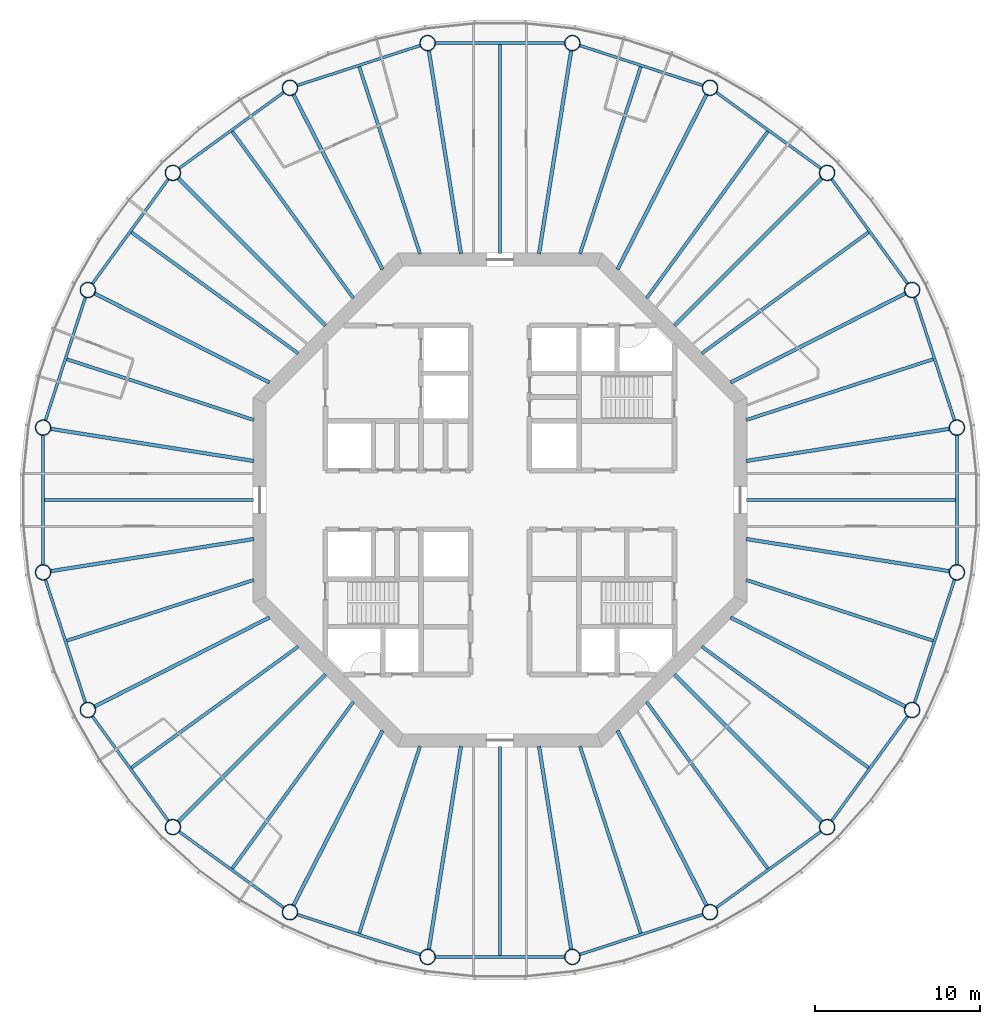
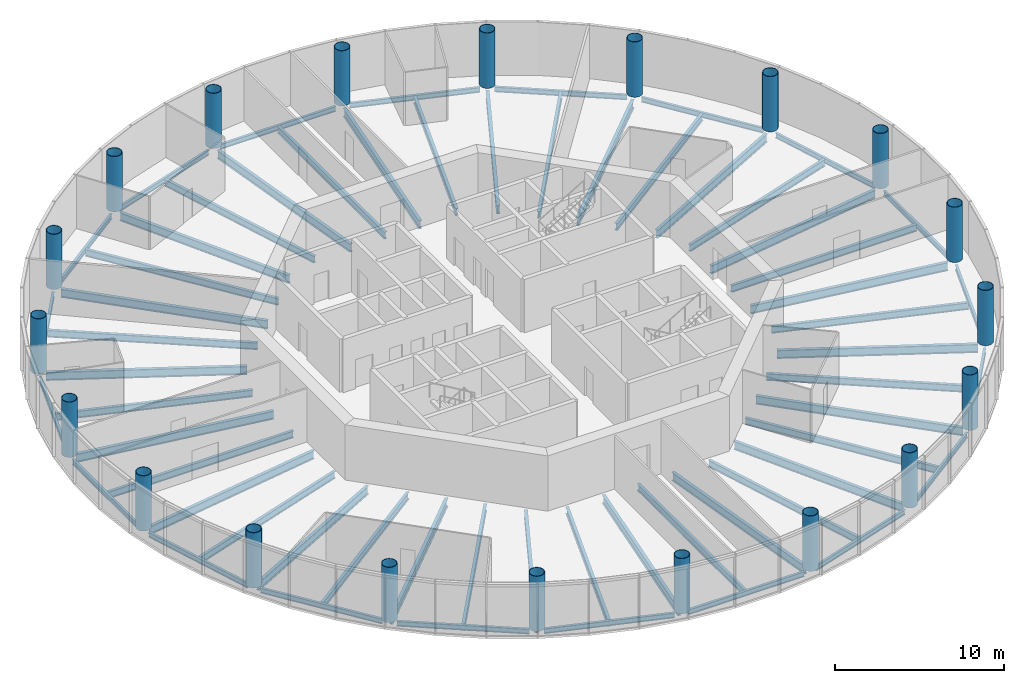
# One storey, part 1 of 13: 60 beams, 20 columns.
"""IFC4 building model written with IfcOpenShell, lengths in metres."""

from ifc_helpers import new_model, si_unit, direction, frame, origin, origin_2d, place, context, subcontext, project, spatial, circle, hollow_circle, i_section, extrude, material, material_profile, profile_set, type_object, element, save


model = new_model("IFC4")

# Units and contexts
model_context = context("Model", 3, precision=1e-05, world=origin(), true_north=direction((0.0, 1.0)))
body_context = subcontext(model_context, "Body", "Model", "MODEL_VIEW")
ifc_project = project(units=[si_unit("LENGTHUNIT", "METRE"), si_unit("AREAUNIT", "SQUARE_METRE"), si_unit("VOLUMEUNIT", "CUBIC_METRE"), si_unit("PLANEANGLEUNIT", "RADIAN"), si_unit("MASSUNIT", "GRAM", prefix="KILO")], contexts=[model_context])

# Site, building, storey
site_placement = place(None, origin())
site = spatial("IfcSite", under=ifc_project, at=site_placement, CompositionType="ELEMENT")
building_placement = place(site_placement, origin())
building = spatial("IfcBuilding", under=site, at=building_placement, Name="Entoto Ring Tower", CompositionType="ELEMENT")
storey_placement = place(building_placement, frame((0.0, 0.0, 282.0)))
storey = spatial("IfcBuildingStorey", under=building, at=storey_placement, Name="L64", CompositionType="ELEMENT", Elevation=282.0)

# Columns
ifc_material_1 = material(Name="Steel S355", Category="steel")
ifc_material_profile_1 = material_profile(ifc_material_1, hollow_circle(Radius=0.47509765625, WallThickness=0.034912109375, at=origin_2d()), Name="CHS 950 x 35")
ifc_material_2 = material(Name="Concrete C60/75", Category="concrete")
ifc_material_profile_2 = material_profile(ifc_material_2, circle(Radius=0.43994140625, at=origin_2d()), Name="Concrete C60/75 infill")
ifc_profile_set_1 = profile_set([ifc_material_profile_1, ifc_material_profile_2], Name="Steel S355")
column_type = type_object("IfcColumnType", Name="Ring column 950 x 35 concrete-filled tube", PredefinedType="COLUMN", material=ifc_profile_set_1)
for number, where, z_axis, x_axis, name in (
    (1, (117.754150390625, 84.395751953125, 0.0), (0.0, 0.0, 1.0), (1.0, 0.0, 0.0), "RC5 R01"),
    (2, (115.037353515625, 92.757080078125, 0.0), (0.0, 0.0, 1.0), (1.0, 0.0, 0.0), "RC5 R02"),
    (3, (109.86962890625, 99.86962890625, 0.0), (0.0, 0.0, 1.0), (1.0, 0.0, 0.0), "RC5 R03"),
    (4, (102.757080078125, 105.037353515625, 0.0), (0.0, 0.0, 1.0), (1.0, 0.0, 0.0), "RC5 R04"),
    (5, (94.395751953125, 107.754150390625, 0.0), (0.0, 0.0, 1.0), (1.0, 0.0, 0.0), "RC5 R05"),
    (6, (85.604248046875, 107.754150390625, 0.0), (0.0, 0.0, 1.0), (1.0, 0.0, 0.0), "RC5 R06"),
    (7, (77.242919921875, 105.037353515625, 0.0), (0.0, 0.0, 1.0), (1.0, 0.0, 0.0), "RC5 R07"),
    (8, (70.13037109375, 99.86962890625, 0.0), (0.0, 0.0, 1.0), (1.0, 0.0, 0.0), "RC5 R08"),
    (9, (64.962646484375, 92.757080078125, 0.0), (0.0, 0.0, 1.0), (1.0, 0.0, 0.0), "RC5 R09"),
    (10, (62.245849609375, 84.395751953125, 0.0), (0.0, 0.0, 1.0), (1.0, 0.0, 0.0), "RC5 R10"),
    (11, (62.245849609375, 75.604248046875, 0.0), (0.0, 0.0, 1.0), (1.0, 0.0, 0.0), "RC5 R11"),
    (12, (64.962646484375, 67.242919921875, 0.0), (0.0, 0.0, 1.0), (1.0, 0.0, 0.0), "RC5 R12"),
    (13, (70.13037109375, 60.13037109375, 0.0), (0.0, 0.0, 1.0), (1.0, 0.0, 0.0), "RC5 R13"),
    (14, (77.242919921875, 54.962646484375, 0.0), (0.0, 0.0, 1.0), (1.0, 0.0, 0.0), "RC5 R14"),
    (15, (85.604248046875, 52.245849609375, 0.0), (0.0, 0.0, 1.0), (1.0, 0.0, 0.0), "RC5 R15"),
    (16, (94.395751953125, 52.245849609375, 0.0), (0.0, 0.0, 1.0), (1.0, 0.0, 0.0), "RC5 R16"),
    (17, (102.757080078125, 54.962646484375, 0.0), (0.0, 0.0, 1.0), (1.0, 0.0, 0.0), "RC5 R17"),
    (18, (109.86962890625, 60.13037109375, 0.0), (0.0, 0.0, 1.0), (1.0, 0.0, 0.0), "RC5 R18"),
    (19, (115.037353515625, 67.242919921875, 0.0), (0.0, 0.0, 1.0), (1.0, 0.0, 0.0), "RC5 R19"),
    (20, (117.754150390625, 75.604248046875, 0.0), (0.0, 0.0, 1.0), (1.0, 0.0, 0.0), "RC5 R20"),
):
    element("IfcColumn", number, at=place(storey_placement, frame(where, z_axis=z_axis, x_axis=x_axis)), inside=storey, type_object=column_type, Name=name, PredefinedType="COLUMN", context=body_context, shape_type="SweptSolid", body=[
        extrude(hollow_circle(Radius=0.47509765625, WallThickness=0.034912109375, at=origin_2d()), origin(), (0.0, 0.0, 1.0), 4.0),
    ])

# Beams
ifc_material_3 = material(Name="Steel S355", Category="steel")
ifc_material_profile_3 = material_profile(ifc_material_3, i_section(OverallWidth=0.169921875, OverallDepth=0.360107421875, WebThickness=0.008056640625, FlangeThickness=0.0126953125, FilletRadius=0.01806640625, at=origin_2d()), Name="IPE 360")
ifc_profile_set_2 = profile_set([ifc_material_profile_3], Name="Steel S355")
beam_type_1 = type_object("IfcBeamType", Name="Edge beam IPE 360", PredefinedType="SPANDREL", material=ifc_profile_set_2)
beam_1_placement = place(storey_placement, frame((117.61572265625, 84.8212890625, -0.330078125), z_axis=(-0.309002883506, 0.951061101079, 0.0), x_axis=(-0.951061101079, -0.309002883506, 0.0)))
element("IfcBeam", 21, at=beam_1_placement, inside=storey, type_object=beam_type_1, Name="Edge beam L64 01", PredefinedType="SPANDREL", context=body_context, shape_type="SweptSolid", body=[
    extrude(i_section(OverallWidth=0.169921875, OverallDepth=0.360107421875, WebThickness=0.008056640625, FlangeThickness=0.0126953125, FilletRadius=0.01806640625, at=origin_2d()), origin(), (0.0, 0.0, 1.0), 7.89697265625),
])
for number, where, z_axis, x_axis, name in (
    (22, (114.7744140625, 93.118896484375, -0.330078125), (-0.587787449408, 0.809015398073, 0.0), (-0.809015398073, -0.587787449408, 0.0), "Edge beam L64 02"),
    (23, (109.5078125, 100.132568359375, -0.330078125), (-0.809015398073, 0.587787449408, 0.0), (-0.587787449408, -0.809015398073, 0.0), "Edge beam L64 03"),
):
    element("IfcBeam", number, at=place(storey_placement, frame(where, z_axis=z_axis, x_axis=x_axis)), inside=storey, type_object=beam_type_1, Name=name, PredefinedType="SPANDREL", context=body_context, shape_type="SweptSolid", body=[
        extrude(i_section(OverallWidth=0.169921875, OverallDepth=0.360107421875, WebThickness=0.008056640625, FlangeThickness=0.0126953125, FilletRadius=0.01806640625, at=origin_2d()), origin(), (0.0, 0.0, 1.0), 7.897216796875),
    ])
for number, where, z_axis, x_axis, name in (
    (24, (102.331787109375, 105.175537109375, -0.330078125), (-0.951061101079, 0.309002883506, 0.0), (-0.309002883506, -0.951061101079, 0.0), "Edge beam L64 04"),
    (25, (93.948486328125, 107.754150390625, -0.330078125), (-1.0, 0.0, 0.0), (0.0, -1.0, 0.0), "Edge beam L64 05"),
    (26, (85.1787109375, 107.61572265625, -0.330078125), (-0.951061101079, -0.309002883506, 0.0), (0.309002883506, -0.951061101079, 0.0), "Edge beam L64 06"),
):
    element("IfcBeam", number, at=place(storey_placement, frame(where, z_axis=z_axis, x_axis=x_axis)), inside=storey, type_object=beam_type_1, Name=name, PredefinedType="SPANDREL", context=body_context, shape_type="SweptSolid", body=[
        extrude(i_section(OverallWidth=0.169921875, OverallDepth=0.360107421875, WebThickness=0.008056640625, FlangeThickness=0.0126953125, FilletRadius=0.01806640625, at=origin_2d()), origin(), (0.0, 0.0, 1.0), 7.89697265625),
    ])
for number, where, z_axis, x_axis, name in (
    (27, (76.881103515625, 104.7744140625, -0.330078125), (-0.809015398073, -0.587787449408, 0.0), (0.587787449408, -0.809015398073, 0.0), "Edge beam L64 07"),
    (28, (69.867431640625, 99.5078125, -0.330078125), (-0.587787449408, -0.809015398073, 0.0), (0.809015398073, -0.587787449408, 0.0), "Edge beam L64 08"),
):
    element("IfcBeam", number, at=place(storey_placement, frame(where, z_axis=z_axis, x_axis=x_axis)), inside=storey, type_object=beam_type_1, Name=name, PredefinedType="SPANDREL", context=body_context, shape_type="SweptSolid", body=[
        extrude(i_section(OverallWidth=0.169921875, OverallDepth=0.360107421875, WebThickness=0.008056640625, FlangeThickness=0.0126953125, FilletRadius=0.01806640625, at=origin_2d()), origin(), (0.0, 0.0, 1.0), 7.897216796875),
    ])
for number, where, z_axis, x_axis, name in (
    (29, (64.824462890625, 92.331787109375, -0.330078125), (-0.309002883506, -0.951061101079, 0.0), (0.951061101079, -0.309002883506, 0.0), "Edge beam L64 09"),
    (30, (62.245849609375, 83.948486328125, -0.330078125), (0.0, -1.0, 0.0), (1.0, 0.0, 0.0), "Edge beam L64 10"),
    (31, (62.38427734375, 75.1787109375, -0.330078125), (0.309002883506, -0.951061101079, 0.0), (0.951061101079, 0.309002883506, 0.0), "Edge beam L64 11"),
):
    element("IfcBeam", number, at=place(storey_placement, frame(where, z_axis=z_axis, x_axis=x_axis)), inside=storey, type_object=beam_type_1, Name=name, PredefinedType="SPANDREL", context=body_context, shape_type="SweptSolid", body=[
        extrude(i_section(OverallWidth=0.169921875, OverallDepth=0.360107421875, WebThickness=0.008056640625, FlangeThickness=0.0126953125, FilletRadius=0.01806640625, at=origin_2d()), origin(), (0.0, 0.0, 1.0), 7.89697265625),
    ])
for number, where, z_axis, x_axis, name in (
    (32, (65.2255859375, 66.881103515625, -0.330078125), (0.587787449408, -0.809015398073, 0.0), (0.809015398073, 0.587787449408, 0.0), "Edge beam L64 12"),
    (33, (70.4921875, 59.867431640625, -0.330078125), (0.809015398073, -0.587787449408, 0.0), (0.587787449408, 0.809015398073, 0.0), "Edge beam L64 13"),
):
    element("IfcBeam", number, at=place(storey_placement, frame(where, z_axis=z_axis, x_axis=x_axis)), inside=storey, type_object=beam_type_1, Name=name, PredefinedType="SPANDREL", context=body_context, shape_type="SweptSolid", body=[
        extrude(i_section(OverallWidth=0.169921875, OverallDepth=0.360107421875, WebThickness=0.008056640625, FlangeThickness=0.0126953125, FilletRadius=0.01806640625, at=origin_2d()), origin(), (0.0, 0.0, 1.0), 7.897216796875),
    ])
for number, where, z_axis, x_axis, name in (
    (34, (77.668212890625, 54.824462890625, -0.330078125), (0.951061101079, -0.309002883506, 0.0), (0.309002883506, 0.951061101079, 0.0), "Edge beam L64 14"),
    (35, (86.051513671875, 52.245849609375, -0.330078125), (1.0, 0.0, 0.0), (0.0, 1.0, 0.0), "Edge beam L64 15"),
    (36, (94.8212890625, 52.38427734375, -0.330078125), (0.951061101079, 0.309002883506, 0.0), (-0.309002883506, 0.951061101079, 0.0), "Edge beam L64 16"),
):
    element("IfcBeam", number, at=place(storey_placement, frame(where, z_axis=z_axis, x_axis=x_axis)), inside=storey, type_object=beam_type_1, Name=name, PredefinedType="SPANDREL", context=body_context, shape_type="SweptSolid", body=[
        extrude(i_section(OverallWidth=0.169921875, OverallDepth=0.360107421875, WebThickness=0.008056640625, FlangeThickness=0.0126953125, FilletRadius=0.01806640625, at=origin_2d()), origin(), (0.0, 0.0, 1.0), 7.89697265625),
    ])
for number, where, z_axis, x_axis, name in (
    (37, (103.118896484375, 55.2255859375, -0.330078125), (0.809015398073, 0.587787449408, 0.0), (-0.587787449408, 0.809015398073, 0.0), "Edge beam L64 17"),
    (38, (110.132568359375, 60.4921875, -0.330078125), (0.587787449408, 0.809015398073, 0.0), (-0.809015398073, 0.587787449408, 0.0), "Edge beam L64 18"),
):
    element("IfcBeam", number, at=place(storey_placement, frame(where, z_axis=z_axis, x_axis=x_axis)), inside=storey, type_object=beam_type_1, Name=name, PredefinedType="SPANDREL", context=body_context, shape_type="SweptSolid", body=[
        extrude(i_section(OverallWidth=0.169921875, OverallDepth=0.360107421875, WebThickness=0.008056640625, FlangeThickness=0.0126953125, FilletRadius=0.01806640625, at=origin_2d()), origin(), (0.0, 0.0, 1.0), 7.897216796875),
    ])
for number, where, z_axis, x_axis, name in (
    (39, (115.175537109375, 67.668212890625, -0.330078125), (0.309002883506, 0.951061101079, 0.0), (-0.951061101079, 0.309002883506, 0.0), "Edge beam L64 19"),
    (40, (117.754150390625, 76.051513671875, -0.330078125), (0.0, 1.0, 0.0), (-1.0, 0.0, 0.0), "Edge beam L64 20"),
):
    element("IfcBeam", number, at=place(storey_placement, frame(where, z_axis=z_axis, x_axis=x_axis)), inside=storey, type_object=beam_type_1, Name=name, PredefinedType="SPANDREL", context=body_context, shape_type="SweptSolid", body=[
        extrude(i_section(OverallWidth=0.169921875, OverallDepth=0.360107421875, WebThickness=0.008056640625, FlangeThickness=0.0126953125, FilletRadius=0.01806640625, at=origin_2d()), origin(), (0.0, 0.0, 1.0), 7.89697265625),
    ])
ifc_material_4 = material(Name="Steel S355", Category="steel")
ifc_material_profile_4 = material_profile(ifc_material_4, i_section(OverallWidth=0.219970703125, OverallDepth=0.60009765625, WebThickness=0.011962890625, FlangeThickness=0.01904296875, FilletRadius=0.02392578125, at=origin_2d()), Name="IPE 600")
ifc_profile_set_3 = profile_set([ifc_material_profile_4], Name="Steel S355")
beam_type_2 = type_object("IfcBeamType", Name="Primary floor beam IPE 600", PredefinedType="BEAM", material=ifc_profile_set_3)
beam_2_placement = place(storey_placement, frame((104.963134765625, 82.369873046875, -0.449951171875), z_axis=(0.987687519796, 0.156439647277, 0.0), x_axis=(-0.156439647277, 0.987687519796, 0.0)))
element("IfcBeam", 41, at=beam_2_placement, inside=storey, type_object=beam_type_2, Name="Primary L64 R01", PredefinedType="BEAM", context=body_context, shape_type="SweptSolid", body=[
    extrude(i_section(OverallWidth=0.219970703125, OverallDepth=0.60009765625, WebThickness=0.011962890625, FlangeThickness=0.01904296875, FilletRadius=0.02392578125, at=origin_2d()), origin(), (0.0, 0.0, 1.0), 12.50830078125),
])
beam_3_placement = place(storey_placement, frame((104.003173828125, 87.135009765625, -0.449951171875), z_axis=(0.891007666593, 0.453988257638, 0.0), x_axis=(-0.453988257638, 0.891007666593, 0.0)))
element("IfcBeam", 42, at=beam_3_placement, inside=storey, type_object=beam_type_2, Name="Primary L64 R02", PredefinedType="BEAM", context=body_context, shape_type="SweptSolid", body=[
    extrude(i_section(OverallWidth=0.219970703125, OverallDepth=0.60009765625, WebThickness=0.011962890625, FlangeThickness=0.01904296875, FilletRadius=0.02392578125, at=origin_2d()), origin(), (0.0, 0.0, 1.0), 11.941650390625),
])
beam_4_placement = place(storey_placement, frame((100.592529296875, 90.592529296875, -0.449951171875), z_axis=(0.707106781187, 0.707106781187, 0.0), x_axis=(-0.707106781187, 0.707106781187, 0.0)))
element("IfcBeam", 43, at=beam_4_placement, inside=storey, type_object=beam_type_2, Name="Primary L64 R03", PredefinedType="BEAM", context=body_context, shape_type="SweptSolid", body=[
    extrude(i_section(OverallWidth=0.219970703125, OverallDepth=0.60009765625, WebThickness=0.011962890625, FlangeThickness=0.01904296875, FilletRadius=0.02392578125, at=origin_2d()), origin(), (0.0, 0.0, 1.0), 12.677978515625),
])
beam_5_placement = place(storey_placement, frame((97.135009765625, 94.003173828125, -0.449951171875), z_axis=(0.453988257638, 0.891007666593, 0.0), x_axis=(-0.891007666593, 0.453988257638, 0.0)))
element("IfcBeam", 44, at=beam_5_placement, inside=storey, type_object=beam_type_2, Name="Primary L64 R04", PredefinedType="BEAM", context=body_context, shape_type="SweptSolid", body=[
    extrude(i_section(OverallWidth=0.219970703125, OverallDepth=0.60009765625, WebThickness=0.011962890625, FlangeThickness=0.01904296875, FilletRadius=0.02392578125, at=origin_2d()), origin(), (0.0, 0.0, 1.0), 11.941650390625),
])
for number, where, z_axis, x_axis, name in (
    (45, (92.369873046875, 94.963134765625, -0.449951171875), (0.156439647277, 0.987687519796, 0.0), (-0.987687519796, 0.156439647277, 0.0), "Primary L64 R05"),
    (46, (87.630126953125, 94.963134765625, -0.449951171875), (-0.156439647277, 0.987687519796, 0.0), (-0.987687519796, -0.156439647277, 0.0), "Primary L64 R06"),
):
    element("IfcBeam", number, at=place(storey_placement, frame(where, z_axis=z_axis, x_axis=x_axis)), inside=storey, type_object=beam_type_2, Name=name, PredefinedType="BEAM", context=body_context, shape_type="SweptSolid", body=[
        extrude(i_section(OverallWidth=0.219970703125, OverallDepth=0.60009765625, WebThickness=0.011962890625, FlangeThickness=0.01904296875, FilletRadius=0.02392578125, at=origin_2d()), origin(), (0.0, 0.0, 1.0), 12.50830078125),
    ])
beam_6_placement = place(storey_placement, frame((82.864990234375, 94.003173828125, -0.449951171875), z_axis=(-0.453988257638, 0.891007666593, 0.0), x_axis=(-0.891007666593, -0.453988257638, 0.0)))
element("IfcBeam", 47, at=beam_6_placement, inside=storey, type_object=beam_type_2, Name="Primary L64 R07", PredefinedType="BEAM", context=body_context, shape_type="SweptSolid", body=[
    extrude(i_section(OverallWidth=0.219970703125, OverallDepth=0.60009765625, WebThickness=0.011962890625, FlangeThickness=0.01904296875, FilletRadius=0.02392578125, at=origin_2d()), origin(), (0.0, 0.0, 1.0), 11.941650390625),
])
beam_7_placement = place(storey_placement, frame((79.407470703125, 90.592529296875, -0.449951171875), z_axis=(-0.707106781187, 0.707106781187, 0.0), x_axis=(-0.707106781187, -0.707106781187, 0.0)))
element("IfcBeam", 48, at=beam_7_placement, inside=storey, type_object=beam_type_2, Name="Primary L64 R08", PredefinedType="BEAM", context=body_context, shape_type="SweptSolid", body=[
    extrude(i_section(OverallWidth=0.219970703125, OverallDepth=0.60009765625, WebThickness=0.011962890625, FlangeThickness=0.01904296875, FilletRadius=0.02392578125, at=origin_2d()), origin(), (0.0, 0.0, 1.0), 12.677978515625),
])
beam_8_placement = place(storey_placement, frame((75.996826171875, 87.135009765625, -0.449951171875), z_axis=(-0.891007666593, 0.453988257638, 0.0), x_axis=(-0.453988257638, -0.891007666593, 0.0)))
element("IfcBeam", 49, at=beam_8_placement, inside=storey, type_object=beam_type_2, Name="Primary L64 R09", PredefinedType="BEAM", context=body_context, shape_type="SweptSolid", body=[
    extrude(i_section(OverallWidth=0.219970703125, OverallDepth=0.60009765625, WebThickness=0.011962890625, FlangeThickness=0.01904296875, FilletRadius=0.02392578125, at=origin_2d()), origin(), (0.0, 0.0, 1.0), 11.941650390625),
])
for number, where, z_axis, x_axis, name in (
    (50, (75.036865234375, 82.369873046875, -0.449951171875), (-0.987687519796, 0.156439647277, 0.0), (-0.156439647277, -0.987687519796, 0.0), "Primary L64 R10"),
    (51, (75.036865234375, 77.630126953125, -0.449951171875), (-0.987687519796, -0.156439647277, 0.0), (0.156439647277, -0.987687519796, 0.0), "Primary L64 R11"),
):
    element("IfcBeam", number, at=place(storey_placement, frame(where, z_axis=z_axis, x_axis=x_axis)), inside=storey, type_object=beam_type_2, Name=name, PredefinedType="BEAM", context=body_context, shape_type="SweptSolid", body=[
        extrude(i_section(OverallWidth=0.219970703125, OverallDepth=0.60009765625, WebThickness=0.011962890625, FlangeThickness=0.01904296875, FilletRadius=0.02392578125, at=origin_2d()), origin(), (0.0, 0.0, 1.0), 12.50830078125),
    ])
beam_9_placement = place(storey_placement, frame((75.996826171875, 72.864990234375, -0.449951171875), z_axis=(-0.891007666593, -0.453988257638, 0.0), x_axis=(0.453988257638, -0.891007666593, 0.0)))
element("IfcBeam", 52, at=beam_9_placement, inside=storey, type_object=beam_type_2, Name="Primary L64 R12", PredefinedType="BEAM", context=body_context, shape_type="SweptSolid", body=[
    extrude(i_section(OverallWidth=0.219970703125, OverallDepth=0.60009765625, WebThickness=0.011962890625, FlangeThickness=0.01904296875, FilletRadius=0.02392578125, at=origin_2d()), origin(), (0.0, 0.0, 1.0), 11.941650390625),
])
beam_10_placement = place(storey_placement, frame((79.407470703125, 69.407470703125, -0.449951171875), z_axis=(-0.707106781187, -0.707106781187, 0.0), x_axis=(0.707106781187, -0.707106781187, 0.0)))
element("IfcBeam", 53, at=beam_10_placement, inside=storey, type_object=beam_type_2, Name="Primary L64 R13", PredefinedType="BEAM", context=body_context, shape_type="SweptSolid", body=[
    extrude(i_section(OverallWidth=0.219970703125, OverallDepth=0.60009765625, WebThickness=0.011962890625, FlangeThickness=0.01904296875, FilletRadius=0.02392578125, at=origin_2d()), origin(), (0.0, 0.0, 1.0), 12.677978515625),
])
beam_11_placement = place(storey_placement, frame((82.864990234375, 65.996826171875, -0.449951171875), z_axis=(-0.453988257638, -0.891007666593, 0.0), x_axis=(0.891007666593, -0.453988257638, 0.0)))
element("IfcBeam", 54, at=beam_11_placement, inside=storey, type_object=beam_type_2, Name="Primary L64 R14", PredefinedType="BEAM", context=body_context, shape_type="SweptSolid", body=[
    extrude(i_section(OverallWidth=0.219970703125, OverallDepth=0.60009765625, WebThickness=0.011962890625, FlangeThickness=0.01904296875, FilletRadius=0.02392578125, at=origin_2d()), origin(), (0.0, 0.0, 1.0), 11.941650390625),
])
for number, where, z_axis, x_axis, name in (
    (55, (87.630126953125, 65.036865234375, -0.449951171875), (-0.156439647277, -0.987687519796, 0.0), (0.987687519796, -0.156439647277, 0.0), "Primary L64 R15"),
    (56, (92.369873046875, 65.036865234375, -0.449951171875), (0.156439647277, -0.987687519796, 0.0), (0.987687519796, 0.156439647277, 0.0), "Primary L64 R16"),
):
    element("IfcBeam", number, at=place(storey_placement, frame(where, z_axis=z_axis, x_axis=x_axis)), inside=storey, type_object=beam_type_2, Name=name, PredefinedType="BEAM", context=body_context, shape_type="SweptSolid", body=[
        extrude(i_section(OverallWidth=0.219970703125, OverallDepth=0.60009765625, WebThickness=0.011962890625, FlangeThickness=0.01904296875, FilletRadius=0.02392578125, at=origin_2d()), origin(), (0.0, 0.0, 1.0), 12.50830078125),
    ])
beam_12_placement = place(storey_placement, frame((97.135009765625, 65.996826171875, -0.449951171875), z_axis=(0.453988257638, -0.891007666593, 0.0), x_axis=(0.891007666593, 0.453988257638, 0.0)))
element("IfcBeam", 57, at=beam_12_placement, inside=storey, type_object=beam_type_2, Name="Primary L64 R17", PredefinedType="BEAM", context=body_context, shape_type="SweptSolid", body=[
    extrude(i_section(OverallWidth=0.219970703125, OverallDepth=0.60009765625, WebThickness=0.011962890625, FlangeThickness=0.01904296875, FilletRadius=0.02392578125, at=origin_2d()), origin(), (0.0, 0.0, 1.0), 11.941650390625),
])
beam_13_placement = place(storey_placement, frame((100.592529296875, 69.407470703125, -0.449951171875), z_axis=(0.707106781187, -0.707106781187, 0.0), x_axis=(0.707106781187, 0.707106781187, 0.0)))
element("IfcBeam", 58, at=beam_13_placement, inside=storey, type_object=beam_type_2, Name="Primary L64 R18", PredefinedType="BEAM", context=body_context, shape_type="SweptSolid", body=[
    extrude(i_section(OverallWidth=0.219970703125, OverallDepth=0.60009765625, WebThickness=0.011962890625, FlangeThickness=0.01904296875, FilletRadius=0.02392578125, at=origin_2d()), origin(), (0.0, 0.0, 1.0), 12.677978515625),
])
beam_14_placement = place(storey_placement, frame((104.003173828125, 72.864990234375, -0.449951171875), z_axis=(0.891007666593, -0.453988257638, 0.0), x_axis=(0.453988257638, 0.891007666593, 0.0)))
element("IfcBeam", 59, at=beam_14_placement, inside=storey, type_object=beam_type_2, Name="Primary L64 R19", PredefinedType="BEAM", context=body_context, shape_type="SweptSolid", body=[
    extrude(i_section(OverallWidth=0.219970703125, OverallDepth=0.60009765625, WebThickness=0.011962890625, FlangeThickness=0.01904296875, FilletRadius=0.02392578125, at=origin_2d()), origin(), (0.0, 0.0, 1.0), 11.941650390625),
])
beam_15_placement = place(storey_placement, frame((104.963134765625, 77.630126953125, -0.449951171875), z_axis=(0.987687519796, -0.156439647277, 0.0), x_axis=(0.156439647277, 0.987687519796, 0.0)))
element("IfcBeam", 60, at=beam_15_placement, inside=storey, type_object=beam_type_2, Name="Primary L64 R20", PredefinedType="BEAM", context=body_context, shape_type="SweptSolid", body=[
    extrude(i_section(OverallWidth=0.219970703125, OverallDepth=0.60009765625, WebThickness=0.011962890625, FlangeThickness=0.01904296875, FilletRadius=0.02392578125, at=origin_2d()), origin(), (0.0, 0.0, 1.0), 12.50830078125),
])
ifc_material_5 = material(Name="Steel S355", Category="steel")
ifc_material_profile_5 = material_profile(ifc_material_5, i_section(OverallWidth=0.199951171875, OverallDepth=0.5, WebThickness=0.01025390625, FlangeThickness=0.01611328125, FilletRadius=0.02099609375, at=origin_2d()), Name="IPE 500")
ifc_profile_set_4 = profile_set([ifc_material_profile_5], Name="Steel S355")
beam_type_3 = type_object("IfcBeamType", Name="Secondary floor beam IPE 500", PredefinedType="JOIST", material=ifc_profile_set_4)
beam_16_placement = place(storey_placement, frame((104.9501953125, 84.857666015625, -0.39990234375), z_axis=(0.951056587506, 0.30901677521, 0.0), x_axis=(-0.30901677521, 0.951056587506, 0.0)))
element("IfcBeam", 61, at=beam_16_placement, inside=storey, type_object=beam_type_3, Name="Secondary beam L64 01", PredefinedType="JOIST", context=body_context, shape_type="SweptSolid", body=[
    extrude(i_section(OverallWidth=0.199951171875, OverallDepth=0.5, WebThickness=0.01025390625, FlangeThickness=0.01611328125, FilletRadius=0.02099609375, at=origin_2d()), origin(), (0.0, 0.0, 1.0), 11.94970703125),
])
for number, where, z_axis, x_axis, name in (
    (62, (102.257568359375, 88.905517578125, -0.39990234375), (0.80901431041, 0.587788946436, 0.0), (-0.587788946436, 0.80901431041, 0.0), "Secondary beam L64 02"),
    (63, (98.905517578125, 92.257568359375, -0.39990234375), (0.587788946436, 0.80901431041, 0.0), (-0.80901431041, 0.587788946436, 0.0), "Secondary beam L64 03"),
):
    element("IfcBeam", number, at=place(storey_placement, frame(where, z_axis=z_axis, x_axis=x_axis)), inside=storey, type_object=beam_type_3, Name=name, PredefinedType="JOIST", context=body_context, shape_type="SweptSolid", body=[
        extrude(i_section(OverallWidth=0.199951171875, OverallDepth=0.5, WebThickness=0.01025390625, FlangeThickness=0.01611328125, FilletRadius=0.02099609375, at=origin_2d()), origin(), (0.0, 0.0, 1.0), 12.51806640625),
    ])
beam_17_placement = place(storey_placement, frame((94.857666015625, 94.9501953125, -0.39990234375), z_axis=(0.30901677521, 0.951056587506, 0.0), x_axis=(-0.951056587506, 0.30901677521, 0.0)))
element("IfcBeam", 64, at=beam_17_placement, inside=storey, type_object=beam_type_3, Name="Secondary beam L64 04", PredefinedType="JOIST", context=body_context, shape_type="SweptSolid", body=[
    extrude(i_section(OverallWidth=0.199951171875, OverallDepth=0.5, WebThickness=0.01025390625, FlangeThickness=0.01611328125, FilletRadius=0.02099609375, at=origin_2d()), origin(), (0.0, 0.0, 1.0), 11.94970703125),
])
beam_18_placement = place(storey_placement, frame((90.0, 94.97998046875, -0.39990234375), z_axis=(0.0, 1.0, 0.0), x_axis=(-1.0, 0.0, 0.0)))
element("IfcBeam", 65, at=beam_18_placement, inside=storey, type_object=beam_type_3, Name="Secondary beam L64 05", PredefinedType="JOIST", context=body_context, shape_type="SweptSolid", body=[
    extrude(i_section(OverallWidth=0.199951171875, OverallDepth=0.5, WebThickness=0.01025390625, FlangeThickness=0.01611328125, FilletRadius=0.02099609375, at=origin_2d()), origin(), (0.0, 0.0, 1.0), 12.68896484375),
])
beam_19_placement = place(storey_placement, frame((85.142333984375, 94.9501953125, -0.39990234375), z_axis=(-0.30901677521, 0.951056587506, 0.0), x_axis=(-0.951056587506, -0.30901677521, 0.0)))
element("IfcBeam", 66, at=beam_19_placement, inside=storey, type_object=beam_type_3, Name="Secondary beam L64 06", PredefinedType="JOIST", context=body_context, shape_type="SweptSolid", body=[
    extrude(i_section(OverallWidth=0.199951171875, OverallDepth=0.5, WebThickness=0.01025390625, FlangeThickness=0.01611328125, FilletRadius=0.02099609375, at=origin_2d()), origin(), (0.0, 0.0, 1.0), 11.94970703125),
])
for number, where, z_axis, x_axis, name in (
    (67, (81.094482421875, 92.257568359375, -0.39990234375), (-0.587788946436, 0.80901431041, 0.0), (-0.80901431041, -0.587788946436, 0.0), "Secondary beam L64 07"),
    (68, (77.742431640625, 88.905517578125, -0.39990234375), (-0.80901431041, 0.587788946436, 0.0), (-0.587788946436, -0.80901431041, 0.0), "Secondary beam L64 08"),
):
    element("IfcBeam", number, at=place(storey_placement, frame(where, z_axis=z_axis, x_axis=x_axis)), inside=storey, type_object=beam_type_3, Name=name, PredefinedType="JOIST", context=body_context, shape_type="SweptSolid", body=[
        extrude(i_section(OverallWidth=0.199951171875, OverallDepth=0.5, WebThickness=0.01025390625, FlangeThickness=0.01611328125, FilletRadius=0.02099609375, at=origin_2d()), origin(), (0.0, 0.0, 1.0), 12.51806640625),
    ])
beam_20_placement = place(storey_placement, frame((75.0498046875, 84.857666015625, -0.39990234375), z_axis=(-0.951056587506, 0.30901677521, 0.0), x_axis=(-0.30901677521, -0.951056587506, 0.0)))
element("IfcBeam", 69, at=beam_20_placement, inside=storey, type_object=beam_type_3, Name="Secondary beam L64 09", PredefinedType="JOIST", context=body_context, shape_type="SweptSolid", body=[
    extrude(i_section(OverallWidth=0.199951171875, OverallDepth=0.5, WebThickness=0.01025390625, FlangeThickness=0.01611328125, FilletRadius=0.02099609375, at=origin_2d()), origin(), (0.0, 0.0, 1.0), 11.94970703125),
])
beam_21_placement = place(storey_placement, frame((75.02001953125, 80.0, -0.39990234375), z_axis=(-1.0, 0.0, 0.0), x_axis=(0.0, -1.0, 0.0)))
element("IfcBeam", 70, at=beam_21_placement, inside=storey, type_object=beam_type_3, Name="Secondary beam L64 10", PredefinedType="JOIST", context=body_context, shape_type="SweptSolid", body=[
    extrude(i_section(OverallWidth=0.199951171875, OverallDepth=0.5, WebThickness=0.01025390625, FlangeThickness=0.01611328125, FilletRadius=0.02099609375, at=origin_2d()), origin(), (0.0, 0.0, 1.0), 12.68896484375),
])
beam_22_placement = place(storey_placement, frame((75.0498046875, 75.142333984375, -0.39990234375), z_axis=(-0.951056587506, -0.30901677521, 0.0), x_axis=(0.30901677521, -0.951056587506, 0.0)))
element("IfcBeam", 71, at=beam_22_placement, inside=storey, type_object=beam_type_3, Name="Secondary beam L64 11", PredefinedType="JOIST", context=body_context, shape_type="SweptSolid", body=[
    extrude(i_section(OverallWidth=0.199951171875, OverallDepth=0.5, WebThickness=0.01025390625, FlangeThickness=0.01611328125, FilletRadius=0.02099609375, at=origin_2d()), origin(), (0.0, 0.0, 1.0), 11.94970703125),
])
for number, where, z_axis, x_axis, name in (
    (72, (77.742431640625, 71.094482421875, -0.39990234375), (-0.80901431041, -0.587788946436, 0.0), (0.587788946436, -0.80901431041, 0.0), "Secondary beam L64 12"),
    (73, (81.094482421875, 67.742431640625, -0.39990234375), (-0.587788946436, -0.80901431041, 0.0), (0.80901431041, -0.587788946436, 0.0), "Secondary beam L64 13"),
):
    element("IfcBeam", number, at=place(storey_placement, frame(where, z_axis=z_axis, x_axis=x_axis)), inside=storey, type_object=beam_type_3, Name=name, PredefinedType="JOIST", context=body_context, shape_type="SweptSolid", body=[
        extrude(i_section(OverallWidth=0.199951171875, OverallDepth=0.5, WebThickness=0.01025390625, FlangeThickness=0.01611328125, FilletRadius=0.02099609375, at=origin_2d()), origin(), (0.0, 0.0, 1.0), 12.51806640625),
    ])
beam_23_placement = place(storey_placement, frame((85.142333984375, 65.0498046875, -0.39990234375), z_axis=(-0.30901677521, -0.951056587506, 0.0), x_axis=(0.951056587506, -0.30901677521, 0.0)))
element("IfcBeam", 74, at=beam_23_placement, inside=storey, type_object=beam_type_3, Name="Secondary beam L64 14", PredefinedType="JOIST", context=body_context, shape_type="SweptSolid", body=[
    extrude(i_section(OverallWidth=0.199951171875, OverallDepth=0.5, WebThickness=0.01025390625, FlangeThickness=0.01611328125, FilletRadius=0.02099609375, at=origin_2d()), origin(), (0.0, 0.0, 1.0), 11.94970703125),
])
beam_24_placement = place(storey_placement, frame((90.0, 65.02001953125, -0.39990234375), z_axis=(0.0, -1.0, 0.0), x_axis=(1.0, 0.0, 0.0)))
element("IfcBeam", 75, at=beam_24_placement, inside=storey, type_object=beam_type_3, Name="Secondary beam L64 15", PredefinedType="JOIST", context=body_context, shape_type="SweptSolid", body=[
    extrude(i_section(OverallWidth=0.199951171875, OverallDepth=0.5, WebThickness=0.01025390625, FlangeThickness=0.01611328125, FilletRadius=0.02099609375, at=origin_2d()), origin(), (0.0, 0.0, 1.0), 12.68896484375),
])
beam_25_placement = place(storey_placement, frame((94.857666015625, 65.0498046875, -0.39990234375), z_axis=(0.30901677521, -0.951056587506, 0.0), x_axis=(0.951056587506, 0.30901677521, 0.0)))
element("IfcBeam", 76, at=beam_25_placement, inside=storey, type_object=beam_type_3, Name="Secondary beam L64 16", PredefinedType="JOIST", context=body_context, shape_type="SweptSolid", body=[
    extrude(i_section(OverallWidth=0.199951171875, OverallDepth=0.5, WebThickness=0.01025390625, FlangeThickness=0.01611328125, FilletRadius=0.02099609375, at=origin_2d()), origin(), (0.0, 0.0, 1.0), 11.94970703125),
])
for number, where, z_axis, x_axis, name in (
    (77, (98.905517578125, 67.742431640625, -0.39990234375), (0.587788946436, -0.80901431041, 0.0), (0.80901431041, 0.587788946436, 0.0), "Secondary beam L64 17"),
    (78, (102.257568359375, 71.094482421875, -0.39990234375), (0.80901431041, -0.587788946436, 0.0), (0.587788946436, 0.80901431041, 0.0), "Secondary beam L64 18"),
):
    element("IfcBeam", number, at=place(storey_placement, frame(where, z_axis=z_axis, x_axis=x_axis)), inside=storey, type_object=beam_type_3, Name=name, PredefinedType="JOIST", context=body_context, shape_type="SweptSolid", body=[
        extrude(i_section(OverallWidth=0.199951171875, OverallDepth=0.5, WebThickness=0.01025390625, FlangeThickness=0.01611328125, FilletRadius=0.02099609375, at=origin_2d()), origin(), (0.0, 0.0, 1.0), 12.51806640625),
    ])
beam_26_placement = place(storey_placement, frame((104.9501953125, 75.142333984375, -0.39990234375), z_axis=(0.951056587506, -0.30901677521, 0.0), x_axis=(0.30901677521, 0.951056587506, 0.0)))
element("IfcBeam", 79, at=beam_26_placement, inside=storey, type_object=beam_type_3, Name="Secondary beam L64 19", PredefinedType="JOIST", context=body_context, shape_type="SweptSolid", body=[
    extrude(i_section(OverallWidth=0.199951171875, OverallDepth=0.5, WebThickness=0.01025390625, FlangeThickness=0.01611328125, FilletRadius=0.02099609375, at=origin_2d()), origin(), (0.0, 0.0, 1.0), 11.94970703125),
])
beam_27_placement = place(storey_placement, frame((104.97998046875, 80.0, -0.39990234375), z_axis=(1.0, 0.0, 0.0), x_axis=(0.0, 1.0, 0.0)))
element("IfcBeam", 80, at=beam_27_placement, inside=storey, type_object=beam_type_3, Name="Secondary beam L64 20", PredefinedType="JOIST", context=body_context, shape_type="SweptSolid", body=[
    extrude(i_section(OverallWidth=0.199951171875, OverallDepth=0.5, WebThickness=0.01025390625, FlangeThickness=0.01611328125, FilletRadius=0.02099609375, at=origin_2d()), origin(), (0.0, 0.0, 1.0), 12.68896484375),
])

save(model, "model.ifc")
